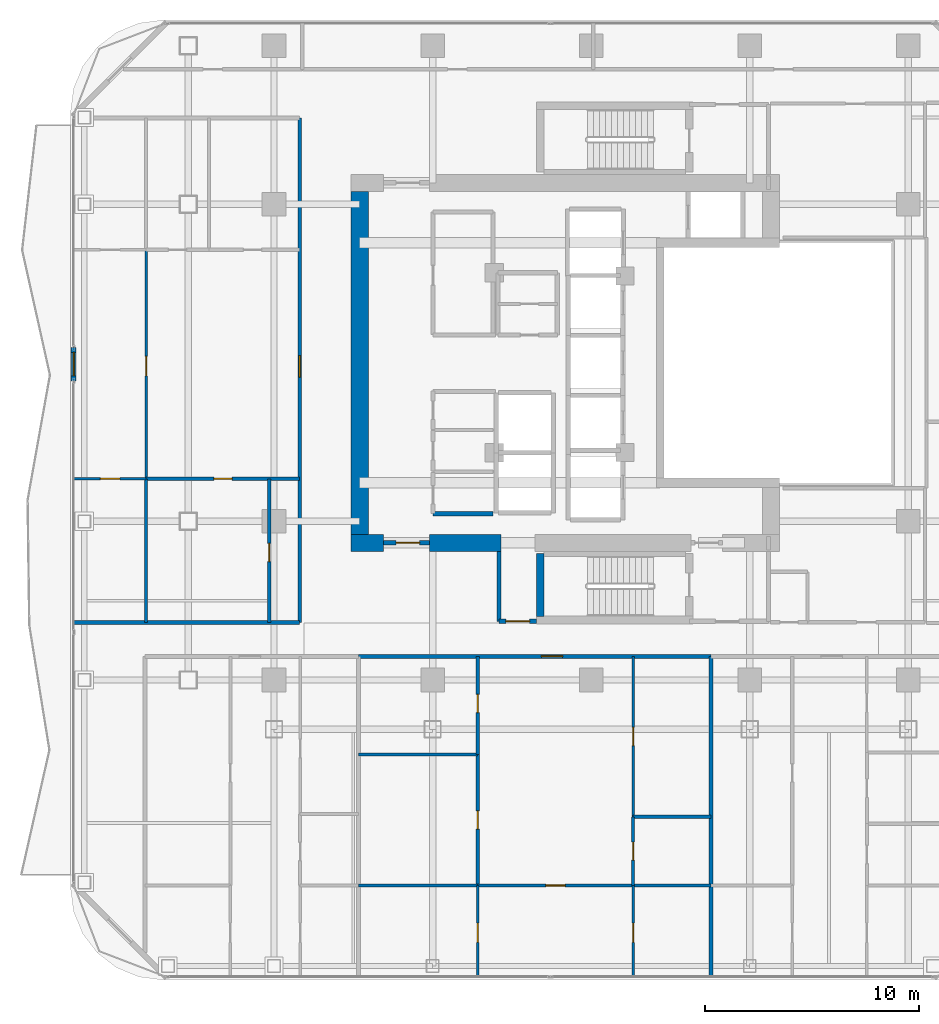
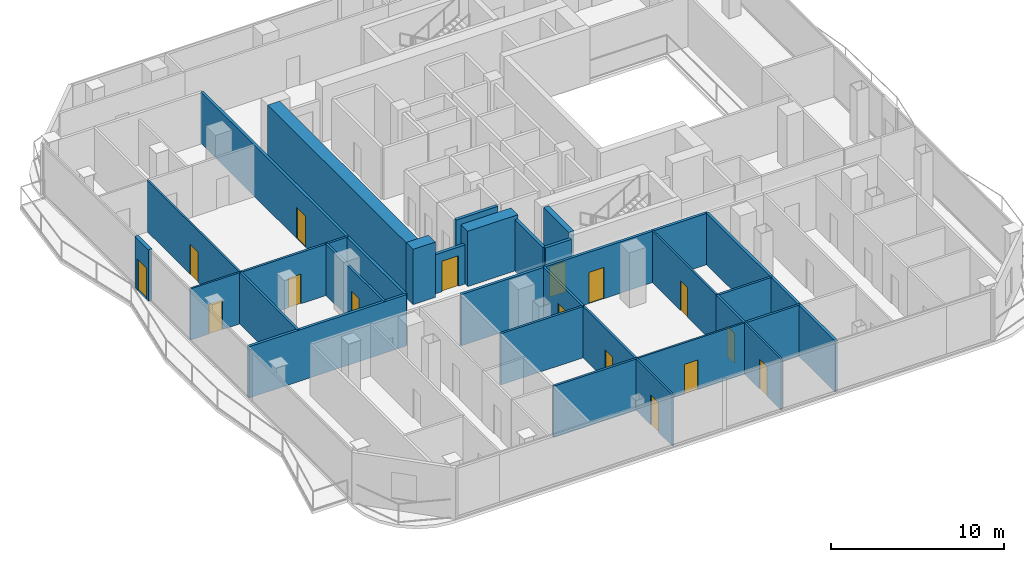
# One storey, part 17 of 24: 29 walls, 16 doors, 16 openings.
"""IFC4 building model written with IfcOpenShell, lengths in metres."""

from ifc_helpers import new_model, si_unit, direction, frame, frame_2d, origin, place, context, subcontext, project, spatial, rectangle, extrude, material, layer, layer_set, type_object, element, fill, save


model = new_model("IFC4")

# Units and contexts
model_context = context("Model", 3, precision=1e-05, world=origin(), true_north=direction((0.0, 1.0)))
body_context = subcontext(model_context, "Body", "Model", "MODEL_VIEW")
ifc_project = project(units=[si_unit("LENGTHUNIT", "METRE"), si_unit("AREAUNIT", "SQUARE_METRE"), si_unit("VOLUMEUNIT", "CUBIC_METRE"), si_unit("PLANEANGLEUNIT", "RADIAN"), si_unit("MASSUNIT", "GRAM", prefix="KILO")], contexts=[model_context])

# Site, building, storey
site_placement = place(None, origin())
site = spatial("IfcSite", under=ifc_project, at=site_placement, CompositionType="ELEMENT")
building_placement = place(site_placement, origin())
building = spatial("IfcBuilding", under=site, at=building_placement, Name="Khorvyn Point Tower", CompositionType="ELEMENT")
storey_placement = place(building_placement, frame((0.0, 0.0, 215.699951171875)))
storey = spatial("IfcBuildingStorey", under=building, at=storey_placement, Name="L53", CompositionType="ELEMENT", Elevation=215.699951171875)

# Wall, opening, door
ifc_material_1 = material(Name="Double acoustic gypsum on twin steel stud", Category="steel")
ifc_layer_1 = layer(ifc_material_1, 0.179931640625)
ifc_layer_set_1 = layer_set([ifc_layer_1], Name="Acoustic Double-Stud Apartment Demising Wall 180")
wall_type_1 = type_object("IfcWallType", Name="Acoustic Double-Stud Apartment Demising Wall 180", PredefinedType="PARTITIONING", material=ifc_layer_set_1)
wall_1_placement = place(storey_placement, frame((-10.85498046875, -13.699951171875, 0.0), z_axis=(0.0, 0.0, 1.0), x_axis=(1.0, 0.0, 0.0)))
wall_1 = element("IfcWall", 1, at=wall_1_placement, inside=storey, type_object=wall_type_1, Name="Wall", PredefinedType="PARTITIONING", context=body_context, shape_type="SweptSolid", body=[
    extrude(rectangle(XDim=16.4541015625, YDim=0.179931640625, at=frame_2d((8.22705078125, 0.0))), origin(), (0.0, 0.0, 1.0), 3.6201171875),
])
opening_1_placement = place(wall_1_placement, frame((8.5283203125, 0.0, 0.0)))
opening_1 = element("IfcOpeningElement", 2, at=opening_1_placement, cuts=wall_1, Name="Opening ID-AP60", PredefinedType="OPENING", context=body_context, shape_type="SweptSolid", body=[
    extrude(rectangle(XDim=1.0, YDim=2.199951171875, at=frame_2d((0.5, 1.10009765625))), frame((0.0, 0.099853515625, 0.0), z_axis=(0.0, -1.0, 0.0), x_axis=(1.0, 0.0, 0.0)), (0.0, 0.0, 1.0), 0.199951171875),
])
ifc_material_2 = material(Name="Engineered hardwood fire-rated leaf", Category="wood")
door_type_1 = type_object("IfcDoorType", Name="Acoustic Solid-Core Timber Apartment Entrance Door 1000x2200", OperationType="NOTDEFINED", PredefinedType="DOOR", material=ifc_material_2)
door_1_placement = place(opening_1_placement, origin())
door_1 = element("IfcDoor", 3, at=door_1_placement, inside=storey, type_object=door_type_1, Name="Door", OperationType="SINGLE_SWING_LEFT", OverallHeight=2.199951171875, OverallWidth=1.0, PredefinedType="DOOR", context=body_context, shape_type="SweptSolid", body=[
    extrude(rectangle(XDim=1.0, YDim=2.199951171875, at=frame_2d((0.5, 1.10009765625))), frame((0.0, 0.02490234375, 0.0), z_axis=(0.0, -1.0, 0.0), x_axis=(1.0, 0.0, 0.0)), (0.0, 0.0, 1.0), 0.050048828125),
])
fill(opening_1, door_1)

wall_2_placement = place(storey_placement, frame((-13.60009765625, -12.1201171875, 0.0), z_axis=(0.0, 0.0, 1.0), x_axis=(0.0, 1.0, 0.0)))
wall_2 = element("IfcWall", 4, at=wall_2_placement, inside=storey, type_object=wall_type_1, Name="Wall", PredefinedType="PARTITIONING", context=body_context, shape_type="SweptSolid", body=[
    extrude(rectangle(XDim=23.550048828125, YDim=0.179931640625, at=frame_2d((11.77490234375, 0.0))), origin(), (0.0, 0.0, 1.0), 3.6201171875),
])
opening_2_placement = place(wall_2_placement, frame((11.454345703125, 0.0, 0.0)))
opening_2 = element("IfcOpeningElement", 5, at=opening_2_placement, cuts=wall_2, Name="Opening ID-AP60", PredefinedType="OPENING", context=body_context, shape_type="SweptSolid", body=[
    extrude(rectangle(XDim=1.0, YDim=2.199951171875, at=frame_2d((0.5, 1.10009765625))), frame((0.0, 0.099853515625, 0.0), z_axis=(0.0, -1.0, 0.0), x_axis=(1.0, 0.0, 0.0)), (0.0, 0.0, 1.0), 0.199951171875),
])
door_2_placement = place(opening_2_placement, origin())
door_2 = element("IfcDoor", 6, at=door_2_placement, inside=storey, type_object=door_type_1, Name="Door", OperationType="SINGLE_SWING_RIGHT", OverallHeight=2.199951171875, OverallWidth=1.0, PredefinedType="DOOR", context=body_context, shape_type="SweptSolid", body=[
    extrude(rectangle(XDim=1.0, YDim=2.199951171875, at=frame_2d((0.5, 1.10009765625))), frame((0.0, 0.02490234375, 0.0), z_axis=(0.0, -1.0, 0.0), x_axis=(1.0, 0.0, 0.0)), (0.0, 0.0, 1.0), 0.050048828125),
])
fill(opening_2, door_2)

# Walls
wall_3_placement = place(storey_placement, frame((5.59912109375, -28.6298828125, 0.0), z_axis=(0.0, 0.0, 1.0), x_axis=(0.0, 1.0, 0.0)))
element("IfcWall", 7, at=wall_3_placement, inside=storey, type_object=wall_type_1, Name="Wall", PredefinedType="PARTITIONING", context=body_context, shape_type="SweptSolid", body=[
    extrude(rectangle(XDim=14.929931640625, YDim=0.179931640625, at=frame_2d((7.46484375, 0.0))), origin(), (0.0, 0.0, 1.0), 3.6201171875),
])
wall_4_placement = place(storey_placement, frame((-24.1298828125, -12.1201171875, 0.0), z_axis=(0.0, 0.0, 1.0), x_axis=(1.0, 0.0, 0.0)))
element("IfcWall", 8, at=wall_4_placement, inside=storey, type_object=wall_type_1, Name="Wall", PredefinedType="PARTITIONING", context=body_context, shape_type="SweptSolid", body=[
    extrude(rectangle(XDim=10.52978515625, YDim=0.179931640625, at=frame_2d((5.264892578125, 0.0))), origin(), (0.0, 0.0, 1.0), 3.6201171875),
])

# Wall, opening, door
ifc_material_3 = material(Name="Pale anodised aluminium rainscreen on steel stud", Category="steel")
ifc_layer_2 = layer(ifc_material_3, 0.239990234375)
ifc_layer_set_2 = layer_set([ifc_layer_2], Name="Anodised Aluminium Insulated Corner Spandrel Wall 240")
wall_type_2 = type_object("IfcWallType", Name="Anodised Aluminium Insulated Corner Spandrel Wall 240", PredefinedType="SOLIDWALL", material=ifc_layer_set_2)
wall_5_placement = place(storey_placement, frame((-24.14990234375, -0.85302734375, 0.0), z_axis=(0.0, 0.0, 1.0), x_axis=(0.0, 1.0, 0.0)))
wall_5 = element("IfcWall", 9, at=wall_5_placement, inside=storey, type_object=wall_type_2, Name="L53 West Outdoor Threshold Wall", PredefinedType="SOLIDWALL", context=body_context, shape_type="SweptSolid", body=[
    extrude(rectangle(XDim=1.580078125, YDim=0.239990234375, at=frame_2d((0.7900390625, 0.0))), origin(), (0.0, 0.0, 1.0), 3.6201171875),
])
opening_3_placement = place(wall_5_placement, frame((0.239990234375, 0.0, 0.0)))
opening_3 = element("IfcOpeningElement", 10, at=opening_3_placement, cuts=wall_5, Name="Opening BD-1122", PredefinedType="OPENING", context=body_context, shape_type="SweptSolid", body=[
    extrude(rectangle(XDim=1.10009765625, YDim=2.199951171875, at=frame_2d((0.550048828125, 1.10009765625))), frame((0.0, 0.1298828125, 0.0), z_axis=(0.0, -1.0, 0.0), x_axis=(1.0, 0.0, 0.0)), (0.0, 0.0, 1.0), 0.260009765625),
])
ifc_material_4 = material(Name="Anodised aluminium 6063-T6 and laminated Low-E glass", Category="aluminium")
door_type_2 = type_object("IfcDoorType", Name="Glazed Balcony and Terrace Threshold Door 1100x2200", OperationType="NOTDEFINED", PredefinedType="DOOR", material=ifc_material_4)
door_3_placement = place(opening_3_placement, origin())
door_3 = element("IfcDoor", 11, at=door_3_placement, inside=storey, type_object=door_type_2, Name="L53 West Glazed Balcony Outdoor Door", OperationType="SINGLE_SWING_RIGHT", OverallHeight=2.199951171875, OverallWidth=1.10009765625, PredefinedType="DOOR", context=body_context, shape_type="SweptSolid", body=[
    extrude(rectangle(XDim=1.10009765625, YDim=2.199951171875, at=frame_2d((0.550048828125, 1.10009765625))), frame((0.0, 0.02490234375, 0.0), z_axis=(0.0, -1.0, 0.0), x_axis=(1.0, 0.0, 0.0)), (0.0, 0.0, 1.0), 0.050048828125),
])
fill(opening_3, door_3)

ifc_material_5 = material(Name="Concrete C40/50", Category="concrete")
ifc_layer_3 = layer(ifc_material_5, 0.199951171875)
ifc_layer_set_3 = layer_set([ifc_layer_3], Name="Concrete C40/50 Fire-Lobby Compartment Wall 200")
wall_type_3 = type_object("IfcWallType", Name="Concrete C40/50 Fire-Lobby Compartment Wall 200", PredefinedType="SOLIDWALL", material=ifc_layer_set_3)
wall_6_placement = place(storey_placement, frame((-9.699951171875, -8.39990234375, 0.0), z_axis=(0.0, 0.0, 1.0), x_axis=(1.0, 0.0, 0.0)))
wall_6 = element("IfcWall", 12, at=wall_6_placement, inside=storey, type_object=wall_type_3, Name="Wall", PredefinedType="SOLIDWALL", context=body_context, shape_type="SweptSolid", body=[
    extrude(rectangle(XDim=2.14990234375, YDim=0.199951171875, at=frame_2d((1.074951171875, 0.0))), origin(), (0.0, 0.0, 1.0), 2.760009765625),
])
opening_4_placement = place(wall_6_placement, frame((0.597900390625, 0.0, 0.0)))
opening_4 = element("IfcOpeningElement", 13, at=opening_4_placement, cuts=wall_6, Name="Opening ID-FL90", PredefinedType="OPENING", context=body_context, shape_type="SweptSolid", body=[
    extrude(rectangle(XDim=1.10009765625, YDim=2.14990234375, at=frame_2d((0.550048828125, 1.074951171875))), frame((0.0, 0.10986328125, 0.0), z_axis=(0.0, -1.0, 0.0), x_axis=(1.0, 0.0, 0.0)), (0.0, 0.0, 1.0), 0.219970703125),
])
ifc_material_6 = material(Name="Galvanised powder-coated steel", Category="steel")
door_type_3 = type_object("IfcDoorType", Name="Fire-Rated Steel Lobby and Stair Door 1100x2150", OperationType="NOTDEFINED", PredefinedType="DOOR", material=ifc_material_6)
door_4_placement = place(opening_4_placement, origin())
door_4 = element("IfcDoor", 14, at=door_4_placement, inside=storey, type_object=door_type_3, Name="Door", OperationType="SINGLE_SWING_RIGHT", OverallHeight=2.14990234375, OverallWidth=1.10009765625, PredefinedType="DOOR", context=body_context, shape_type="SweptSolid", body=[
    extrude(rectangle(XDim=1.10009765625, YDim=2.14990234375, at=frame_2d((0.550048828125, 1.074951171875))), frame((0.0, 0.02490234375, 0.0), z_axis=(0.0, -1.0, 0.0), x_axis=(1.0, 0.0, 0.0)), (0.0, 0.0, 1.0), 0.050048828125),
])
fill(opening_4, door_4)

wall_7_placement = place(storey_placement, frame((-4.300048828125, -12.06005859375, 0.0), z_axis=(0.0, 0.0, 1.0), x_axis=(1.0, 0.0, 0.0)))
wall_7 = element("IfcWall", 15, at=wall_7_placement, inside=storey, type_object=wall_type_3, Name="Wall", PredefinedType="SOLIDWALL", context=body_context, shape_type="SweptSolid", body=[
    extrude(rectangle(XDim=1.75, YDim=0.199951171875, at=frame_2d((0.875, 0.0))), origin(), (0.0, 0.0, 1.0), 3.6201171875),
])
opening_5_placement = place(wall_7_placement, frame((0.324951171875, 0.0, 0.0)))
opening_5 = element("IfcOpeningElement", 16, at=opening_5_placement, cuts=wall_7, Name="Opening ID-FL90", PredefinedType="OPENING", context=body_context, shape_type="SweptSolid", body=[
    extrude(rectangle(XDim=1.10009765625, YDim=2.14990234375, at=frame_2d((0.550048828125, 1.074951171875))), frame((0.0, 0.10986328125, 0.0), z_axis=(0.0, -1.0, 0.0), x_axis=(1.0, 0.0, 0.0)), (0.0, 0.0, 1.0), 0.219970703125),
])
door_5_placement = place(opening_5_placement, origin())
door_5 = element("IfcDoor", 17, at=door_5_placement, inside=storey, type_object=door_type_3, Name="Door", OperationType="SINGLE_SWING_RIGHT", OverallHeight=2.14990234375, OverallWidth=1.10009765625, PredefinedType="DOOR", context=body_context, shape_type="SweptSolid", body=[
    extrude(rectangle(XDim=1.10009765625, YDim=2.14990234375, at=frame_2d((0.550048828125, 1.074951171875))), frame((0.0, 0.02490234375, 0.0), z_axis=(0.0, -1.0, 0.0), x_axis=(1.0, 0.0, 0.0)), (0.0, 0.0, 1.0), 0.050048828125),
])
fill(opening_5, door_5)

# Walls
wall_8_placement = place(storey_placement, frame((-4.300048828125, -12.06005859375, 0.0), z_axis=(0.0, 0.0, 1.0), x_axis=(0.0, 1.0, 0.0)))
element("IfcWall", 18, at=wall_8_placement, inside=storey, type_object=wall_type_3, Name="Wall", PredefinedType="SOLIDWALL", context=body_context, shape_type="SweptSolid", body=[
    extrude(rectangle(XDim=3.260009765625, YDim=0.199951171875, at=frame_2d((1.6298828125, 0.0))), origin(), (0.0, 0.0, 1.0), 3.6201171875),
])
wall_9_placement = place(storey_placement, frame((-7.3798828125, -7.0400390625, 0.0), z_axis=(0.0, 0.0, 1.0), x_axis=(1.0, 0.0, 0.0)))
element("IfcWall", 19, at=wall_9_placement, inside=storey, type_object=wall_type_3, Name="Wall", PredefinedType="SOLIDWALL", context=body_context, shape_type="SweptSolid", body=[
    extrude(rectangle(XDim=2.7998046875, YDim=0.199951171875, at=frame_2d((1.39990234375, 0.0))), origin(), (0.0, 0.0, 1.0), 3.6201171875),
])
ifc_layer_4 = layer(ifc_material_5, 0.35009765625)
ifc_layer_set_4 = layer_set([ifc_layer_4], Name="Concrete C40/50 Stair Shaft Structural Wall 350")
wall_type_4 = type_object("IfcWallType", Name="Concrete C40/50 Stair Shaft Structural Wall 350", PredefinedType="SHEAR", material=ifc_layer_set_4)
wall_10_placement = place(storey_placement, frame((-2.3798828125, -11.824951171875, 0.0), z_axis=(0.0, 0.0, 1.0), x_axis=(0.0, 1.0, 0.0)))
element("IfcWall", 20, at=wall_10_placement, inside=storey, type_object=wall_type_4, Name="L53 ST-01 West Shaft Wall", PredefinedType="SHEAR", context=body_context, shape_type="SweptSolid", body=[
    extrude(rectangle(XDim=2.925048828125, YDim=0.35009765625, at=frame_2d((1.46240234375, 0.0))), origin(), (0.0, 0.0, 1.0), 3.900146484375),
])
ifc_material_7 = material(Name="Concrete C45/55", Category="concrete")
ifc_layer_5 = layer(ifc_material_7, 0.800048828125)
ifc_layer_set_5 = layer_set([ifc_layer_5], Name="Concrete C45/55 Core Shear Wall 800")
wall_type_5 = type_object("IfcWallType", Name="Concrete C45/55 Core Shear Wall 800", PredefinedType="SHEAR", material=ifc_layer_set_5)
wall_11_placement = place(storey_placement, frame((-11.199951171875, -8.39990234375, 0.0), z_axis=(0.0, 0.0, 1.0), x_axis=(1.0, 0.0, 0.0)))
element("IfcWall", 21, at=wall_11_placement, inside=storey, type_object=wall_type_5, Name="Wall", PredefinedType="SHEAR", context=body_context, shape_type="SweptSolid", body=[
    extrude(rectangle(XDim=1.5, YDim=0.800048828125, at=frame_2d((0.75, 0.0))), origin(), (0.0, 0.0, 1.0), 3.900146484375),
])
wall_12_placement = place(storey_placement, frame((-7.550048828125, -8.39990234375, 0.0), z_axis=(0.0, 0.0, 1.0), x_axis=(1.0, 0.0, 0.0)))
element("IfcWall", 22, at=wall_12_placement, inside=storey, type_object=wall_type_5, Name="Wall", PredefinedType="SHEAR", context=body_context, shape_type="SweptSolid", body=[
    extrude(rectangle(XDim=3.35009765625, YDim=0.800048828125, at=frame_2d((1.675048828125, 0.0))), origin(), (0.0, 0.0, 1.0), 3.900146484375),
])
wall_13_placement = place(storey_placement, frame((-10.800048828125, -8.0, 0.0), z_axis=(0.0, 0.0, 1.0), x_axis=(0.0, 1.0, 0.0)))
element("IfcWall", 23, at=wall_13_placement, inside=storey, type_object=wall_type_5, Name="Wall", PredefinedType="SHEAR", context=body_context, shape_type="SweptSolid", body=[
    extrude(rectangle(XDim=16.0, YDim=0.800048828125, at=frame_2d((8.0, 0.0))), origin(), (0.0, 0.0, 1.0), 3.900146484375),
])

# Wall, opening, door
ifc_material_8 = material(Name="Gypsum plasterboard on steel stud", Category="steel")
ifc_layer_6 = layer(ifc_material_8, 0.1201171875)
ifc_layer_set_6 = layer_set([ifc_layer_6], Name="Gypsum Acoustic Stud Room Partition Wall 120")
wall_type_6 = type_object("IfcWallType", Name="Gypsum Acoustic Stud Room Partition Wall 120", PredefinedType="PARTITIONING", material=ifc_layer_set_6)
wall_14_placement = place(storey_placement, frame((-5.29296875, -24.389892578125, 0.0), z_axis=(0.0, 0.0, 1.0), x_axis=(1.0, 0.0, 0.0)))
wall_14 = element("IfcWall", 24, at=wall_14_placement, inside=storey, type_object=wall_type_6, Name="Wall", PredefinedType="PARTITIONING", context=body_context, shape_type="SweptSolid", body=[
    extrude(rectangle(XDim=7.248046875, YDim=0.1201171875, at=frame_2d((3.6240234375, 0.0))), origin(), (0.0, 0.0, 1.0), 3.6201171875),
])
opening_6_placement = place(wall_14_placement, frame((3.174072265625, 0.0, 0.0)))
opening_6 = element("IfcOpeningElement", 25, at=opening_6_placement, cuts=wall_14, Name="Opening ID-RM90", PredefinedType="OPENING", context=body_context, shape_type="SweptSolid", body=[
    extrude(rectangle(XDim=0.89990234375, YDim=2.10009765625, at=frame_2d((0.449951171875, 1.050048828125))), frame((0.0, 0.070068359375, 0.0), z_axis=(0.0, -1.0, 0.0), x_axis=(1.0, 0.0, 0.0)), (0.0, 0.0, 1.0), 0.14013671875),
])
ifc_material_9 = material(Name="Engineered oak veneer timber", Category="wood")
door_type_4 = type_object("IfcDoorType", Name="Flush Engineered Timber Room Door 900x2100", OperationType="NOTDEFINED", PredefinedType="DOOR", material=ifc_material_9)
door_6_placement = place(opening_6_placement, origin())
door_6 = element("IfcDoor", 26, at=door_6_placement, inside=storey, type_object=door_type_4, Name="Door", OperationType="SINGLE_SWING_RIGHT", OverallHeight=2.10009765625, OverallWidth=0.89990234375, PredefinedType="DOOR", context=body_context, shape_type="SweptSolid", body=[
    extrude(rectangle(XDim=0.89990234375, YDim=2.10009765625, at=frame_2d((0.449951171875, 1.050048828125))), frame((0.0, 0.02490234375, 0.0), z_axis=(0.0, -1.0, 0.0), x_axis=(1.0, 0.0, 0.0)), (0.0, 0.0, 1.0), 0.050048828125),
])
fill(opening_6, door_6)

wall_15_placement = place(storey_placement, frame((-5.29296875, -28.6298828125, 0.0), z_axis=(0.0, 0.0, 1.0), x_axis=(0.0, 1.0, 0.0)))
wall_15 = element("IfcWall", 27, at=wall_15_placement, inside=storey, type_object=wall_type_6, Name="Wall", PredefinedType="PARTITIONING", context=body_context, shape_type="SweptSolid", body=[
    extrude(rectangle(XDim=4.239990234375, YDim=0.1201171875, at=frame_2d((2.1201171875, 0.0))), origin(), (0.0, 0.0, 1.0), 3.6201171875),
])
opening_7_placement = place(wall_15_placement, frame((1.581298828125, 0.0, 0.0)))
opening_7 = element("IfcOpeningElement", 28, at=opening_7_placement, cuts=wall_15, Name="Opening ID-RM90", PredefinedType="OPENING", context=body_context, shape_type="SweptSolid", body=[
    extrude(rectangle(XDim=0.89990234375, YDim=2.10009765625, at=frame_2d((0.449951171875, 1.050048828125))), frame((0.0, 0.070068359375, 0.0), z_axis=(0.0, -1.0, 0.0), x_axis=(1.0, 0.0, 0.0)), (0.0, 0.0, 1.0), 0.14013671875),
])
door_7_placement = place(opening_7_placement, origin())
door_7 = element("IfcDoor", 29, at=door_7_placement, inside=storey, type_object=door_type_4, Name="Door", OperationType="SINGLE_SWING_LEFT", OverallHeight=2.10009765625, OverallWidth=0.89990234375, PredefinedType="DOOR", context=body_context, shape_type="SweptSolid", body=[
    extrude(rectangle(XDim=0.89990234375, YDim=2.10009765625, at=frame_2d((0.449951171875, 1.050048828125))), frame((0.0, 0.02490234375, 0.0), z_axis=(0.0, -1.0, 0.0), x_axis=(1.0, 0.0, 0.0)), (0.0, 0.0, 1.0), 0.050048828125),
])
fill(opening_7, door_7)

wall_16_placement = place(storey_placement, frame((1.955078125, -21.18310546875, 0.0), z_axis=(0.0, 0.0, 1.0), x_axis=(0.0, 1.0, 0.0)))
wall_16 = element("IfcWall", 30, at=wall_16_placement, inside=storey, type_object=wall_type_6, Name="Wall", PredefinedType="PARTITIONING", context=body_context, shape_type="SweptSolid", body=[
    extrude(rectangle(XDim=7.483154296875, YDim=0.1201171875, at=frame_2d((3.74169921875, 0.0))), origin(), (0.0, 0.0, 1.0), 3.6201171875),
])
opening_8_placement = place(wall_16_placement, frame((3.31640625, 0.0, 0.0)))
opening_8 = element("IfcOpeningElement", 31, at=opening_8_placement, cuts=wall_16, Name="Opening ID-WC85", PredefinedType="OPENING", context=body_context, shape_type="SweptSolid", body=[
    extrude(rectangle(XDim=0.85009765625, YDim=2.10009765625, at=frame_2d((0.425048828125, 1.050048828125))), frame((0.0, 0.070068359375, 0.0), z_axis=(0.0, -1.0, 0.0), x_axis=(1.0, 0.0, 0.0)), (0.0, 0.0, 1.0), 0.14013671875),
])
ifc_material_10 = material(Name="High-pressure laminate on moisture-resistant core", Category="wood")
door_type_5 = type_object("IfcDoorType", Name="Moisture-Resistant Accessible Washroom Door 850x2100", OperationType="NOTDEFINED", PredefinedType="DOOR", material=ifc_material_10)
door_8_placement = place(opening_8_placement, origin())
door_8 = element("IfcDoor", 32, at=door_8_placement, inside=storey, type_object=door_type_5, Name="Door", OperationType="SINGLE_SWING_LEFT", OverallHeight=2.10009765625, OverallWidth=0.85009765625, PredefinedType="DOOR", context=body_context, shape_type="SweptSolid", body=[
    extrude(rectangle(XDim=0.85009765625, YDim=2.10009765625, at=frame_2d((0.425048828125, 1.050048828125))), frame((0.0, 0.02490234375, 0.0), z_axis=(0.0, -1.0, 0.0), x_axis=(1.0, 0.0, 0.0)), (0.0, 0.0, 1.0), 0.050048828125),
])
fill(opening_8, door_8)

wall_17_placement = place(storey_placement, frame((1.955078125, -28.6298828125, 0.0), z_axis=(0.0, 0.0, 1.0), x_axis=(0.0, 1.0, 0.0)))
wall_17 = element("IfcWall", 33, at=wall_17_placement, inside=storey, type_object=wall_type_6, Name="Wall", PredefinedType="PARTITIONING", context=body_context, shape_type="SweptSolid", body=[
    extrude(rectangle(XDim=4.239990234375, YDim=0.1201171875, at=frame_2d((2.1201171875, 0.0))), origin(), (0.0, 0.0, 1.0), 3.6201171875),
])
opening_9_placement = place(wall_17_placement, frame((1.581298828125, 0.0, 0.0)))
opening_9 = element("IfcOpeningElement", 34, at=opening_9_placement, cuts=wall_17, Name="Opening ID-RM90", PredefinedType="OPENING", context=body_context, shape_type="SweptSolid", body=[
    extrude(rectangle(XDim=0.89990234375, YDim=2.10009765625, at=frame_2d((0.449951171875, 1.050048828125))), frame((0.0, 0.070068359375, 0.0), z_axis=(0.0, -1.0, 0.0), x_axis=(1.0, 0.0, 0.0)), (0.0, 0.0, 1.0), 0.14013671875),
])
door_9_placement = place(opening_9_placement, origin())
door_9 = element("IfcDoor", 35, at=door_9_placement, inside=storey, type_object=door_type_4, Name="Door", OperationType="SINGLE_SWING_RIGHT", OverallHeight=2.10009765625, OverallWidth=0.89990234375, PredefinedType="DOOR", context=body_context, shape_type="SweptSolid", body=[
    extrude(rectangle(XDim=0.89990234375, YDim=2.10009765625, at=frame_2d((0.449951171875, 1.050048828125))), frame((0.0, 0.02490234375, 0.0), z_axis=(0.0, -1.0, 0.0), x_axis=(1.0, 0.0, 0.0)), (0.0, 0.0, 1.0), 0.050048828125),
])
fill(opening_9, door_9)

wall_18_placement = place(storey_placement, frame((-20.76904296875, -5.408935546875, 0.0), z_axis=(0.0, 0.0, 1.0), x_axis=(0.0, 1.0, 0.0)))
wall_18 = element("IfcWall", 36, at=wall_18_placement, inside=storey, type_object=wall_type_6, Name="Wall", PredefinedType="PARTITIONING", context=body_context, shape_type="SweptSolid", body=[
    extrude(rectangle(XDim=10.69091796875, YDim=0.1201171875, at=frame_2d((5.345458984375, 0.0))), origin(), (0.0, 0.0, 1.0), 3.6201171875),
])
opening_10_placement = place(wall_18_placement, frame((4.80615234375, 0.0, 0.0)))
opening_10 = element("IfcOpeningElement", 37, at=opening_10_placement, cuts=wall_18, Name="Opening ID-RM90", PredefinedType="OPENING", context=body_context, shape_type="SweptSolid", body=[
    extrude(rectangle(XDim=0.89990234375, YDim=2.10009765625, at=frame_2d((0.449951171875, 1.050048828125))), frame((0.0, 0.070068359375, 0.0), z_axis=(0.0, -1.0, 0.0), x_axis=(1.0, 0.0, 0.0)), (0.0, 0.0, 1.0), 0.14013671875),
])
door_10_placement = place(opening_10_placement, origin())
door_10 = element("IfcDoor", 38, at=door_10_placement, inside=storey, type_object=door_type_4, Name="Door", OperationType="SINGLE_SWING_LEFT", OverallHeight=2.10009765625, OverallWidth=0.89990234375, PredefinedType="DOOR", context=body_context, shape_type="SweptSolid", body=[
    extrude(rectangle(XDim=0.89990234375, YDim=2.10009765625, at=frame_2d((0.449951171875, 1.050048828125))), frame((0.0, 0.02490234375, 0.0), z_axis=(0.0, -1.0, 0.0), x_axis=(1.0, 0.0, 0.0)), (0.0, 0.0, 1.0), 0.050048828125),
])
fill(opening_10, door_10)

wall_19_placement = place(storey_placement, frame((-24.1298828125, -5.408935546875, 0.0), z_axis=(0.0, 0.0, 1.0), x_axis=(1.0, 0.0, 0.0)))
wall_19 = element("IfcWall", 39, at=wall_19_placement, inside=storey, type_object=wall_type_6, Name="Wall", PredefinedType="PARTITIONING", context=body_context, shape_type="SweptSolid", body=[
    extrude(rectangle(XDim=3.36083984375, YDim=0.1201171875, at=frame_2d((1.680419921875, 0.0))), origin(), (0.0, 0.0, 1.0), 3.6201171875),
])
opening_11_placement = place(wall_19_placement, frame((1.23046875, 0.0, 0.0)))
opening_11 = element("IfcOpeningElement", 40, at=opening_11_placement, cuts=wall_19, Name="Opening ID-RM90", PredefinedType="OPENING", context=body_context, shape_type="SweptSolid", body=[
    extrude(rectangle(XDim=0.89990234375, YDim=2.10009765625, at=frame_2d((0.449951171875, 1.050048828125))), frame((0.0, 0.070068359375, 0.0), z_axis=(0.0, -1.0, 0.0), x_axis=(1.0, 0.0, 0.0)), (0.0, 0.0, 1.0), 0.14013671875),
])
door_11_placement = place(opening_11_placement, origin())
door_11 = element("IfcDoor", 41, at=door_11_placement, inside=storey, type_object=door_type_4, Name="Door", OperationType="SINGLE_SWING_RIGHT", OverallHeight=2.10009765625, OverallWidth=0.89990234375, PredefinedType="DOOR", context=body_context, shape_type="SweptSolid", body=[
    extrude(rectangle(XDim=0.89990234375, YDim=2.10009765625, at=frame_2d((0.449951171875, 1.050048828125))), frame((0.0, 0.02490234375, 0.0), z_axis=(0.0, -1.0, 0.0), x_axis=(1.0, 0.0, 0.0)), (0.0, 0.0, 1.0), 0.050048828125),
])
fill(opening_11, door_11)

ifc_material_11 = material(Name="Moisture-resistant gypsum and cement board", Category="gypsum")
ifc_layer_7 = layer(ifc_material_11, 0.14990234375)
ifc_layer_set_7 = layer_set([ifc_layer_7], Name="Moisture-Resistant Wet-Room Partition Wall 150")
wall_type_7 = type_object("IfcWallType", Name="Moisture-Resistant Wet-Room Partition Wall 150", PredefinedType="PARTITIONING", material=ifc_layer_set_7)
wall_20_placement = place(storey_placement, frame((-5.29296875, -24.389892578125, 0.0), z_axis=(0.0, 0.0, 1.0), x_axis=(0.0, 1.0, 0.0)))
wall_20 = element("IfcWall", 42, at=wall_20_placement, inside=storey, type_object=wall_type_7, Name="Wall", PredefinedType="PARTITIONING", context=body_context, shape_type="SweptSolid", body=[
    extrude(rectangle(XDim=6.11279296875, YDim=0.14990234375, at=frame_2d((3.056396484375, 0.0))), origin(), (0.0, 0.0, 1.0), 3.6201171875),
])
opening_12_placement = place(wall_20_placement, frame((2.631591796875, 0.0, 0.0)))
opening_12 = element("IfcOpeningElement", 43, at=opening_12_placement, cuts=wall_20, Name="Opening ID-WC85", PredefinedType="OPENING", context=body_context, shape_type="SweptSolid", body=[
    extrude(rectangle(XDim=0.85009765625, YDim=2.10009765625, at=frame_2d((0.425048828125, 1.050048828125))), frame((0.0, 0.0849609375, 0.0), z_axis=(0.0, -1.0, 0.0), x_axis=(1.0, 0.0, 0.0)), (0.0, 0.0, 1.0), 0.169921875),
])
door_12_placement = place(opening_12_placement, origin())
door_12 = element("IfcDoor", 44, at=door_12_placement, inside=storey, type_object=door_type_5, Name="Door", OperationType="SINGLE_SWING_LEFT", OverallHeight=2.10009765625, OverallWidth=0.85009765625, PredefinedType="DOOR", context=body_context, shape_type="SweptSolid", body=[
    extrude(rectangle(XDim=0.85009765625, YDim=2.10009765625, at=frame_2d((0.425048828125, 1.050048828125))), frame((0.0, 0.02490234375, 0.0), z_axis=(0.0, -1.0, 0.0), x_axis=(1.0, 0.0, 0.0)), (0.0, 0.0, 1.0), 0.050048828125),
])
fill(opening_12, door_12)

wall_21_placement = place(storey_placement, frame((-5.29296875, -18.277099609375, 0.0), z_axis=(0.0, 0.0, 1.0), x_axis=(0.0, 1.0, 0.0)))
wall_21 = element("IfcWall", 45, at=wall_21_placement, inside=storey, type_object=wall_type_7, Name="Wall", PredefinedType="PARTITIONING", context=body_context, shape_type="SweptSolid", body=[
    extrude(rectangle(XDim=4.5771484375, YDim=0.14990234375, at=frame_2d((2.28857421875, 0.0))), origin(), (0.0, 0.0, 1.0), 3.6201171875),
])
opening_13_placement = place(wall_21_placement, frame((1.953125, 0.0, 0.0)))
opening_13 = element("IfcOpeningElement", 46, at=opening_13_placement, cuts=wall_21, Name="Opening ID-WC85", PredefinedType="OPENING", context=body_context, shape_type="SweptSolid", body=[
    extrude(rectangle(XDim=0.85009765625, YDim=2.10009765625, at=frame_2d((0.425048828125, 1.050048828125))), frame((0.0, 0.0849609375, 0.0), z_axis=(0.0, -1.0, 0.0), x_axis=(1.0, 0.0, 0.0)), (0.0, 0.0, 1.0), 0.169921875),
])
door_13_placement = place(opening_13_placement, origin())
door_13 = element("IfcDoor", 47, at=door_13_placement, inside=storey, type_object=door_type_5, Name="Door", OperationType="SINGLE_SWING_RIGHT", OverallHeight=2.10009765625, OverallWidth=0.85009765625, PredefinedType="DOOR", context=body_context, shape_type="SweptSolid", body=[
    extrude(rectangle(XDim=0.85009765625, YDim=2.10009765625, at=frame_2d((0.425048828125, 1.050048828125))), frame((0.0, 0.02490234375, 0.0), z_axis=(0.0, -1.0, 0.0), x_axis=(1.0, 0.0, 0.0)), (0.0, 0.0, 1.0), 0.050048828125),
])
fill(opening_13, door_13)

wall_22_placement = place(storey_placement, frame((1.955078125, -24.389892578125, 0.0), z_axis=(0.0, 0.0, 1.0), x_axis=(0.0, 1.0, 0.0)))
wall_22 = element("IfcWall", 48, at=wall_22_placement, inside=storey, type_object=wall_type_7, Name="Wall", PredefinedType="PARTITIONING", context=body_context, shape_type="SweptSolid", body=[
    extrude(rectangle(XDim=3.206787109375, YDim=0.14990234375, at=frame_2d((1.603515625, 0.0))), origin(), (0.0, 0.0, 1.0), 3.6201171875),
])
opening_14_placement = place(wall_22_placement, frame((1.178466796875, 0.0, 0.0)))
opening_14 = element("IfcOpeningElement", 49, at=opening_14_placement, cuts=wall_22, Name="Opening ID-WC85", PredefinedType="OPENING", context=body_context, shape_type="SweptSolid", body=[
    extrude(rectangle(XDim=0.85009765625, YDim=2.10009765625, at=frame_2d((0.425048828125, 1.050048828125))), frame((0.0, 0.0849609375, 0.0), z_axis=(0.0, -1.0, 0.0), x_axis=(1.0, 0.0, 0.0)), (0.0, 0.0, 1.0), 0.169921875),
])
door_14_placement = place(opening_14_placement, origin())
door_14 = element("IfcDoor", 50, at=door_14_placement, inside=storey, type_object=door_type_5, Name="Door", OperationType="SINGLE_SWING_RIGHT", OverallHeight=2.10009765625, OverallWidth=0.85009765625, PredefinedType="DOOR", context=body_context, shape_type="SweptSolid", body=[
    extrude(rectangle(XDim=0.85009765625, YDim=2.10009765625, at=frame_2d((0.425048828125, 1.050048828125))), frame((0.0, 0.02490234375, 0.0), z_axis=(0.0, -1.0, 0.0), x_axis=(1.0, 0.0, 0.0)), (0.0, 0.0, 1.0), 0.050048828125),
])
fill(opening_14, door_14)

wall_23_placement = place(storey_placement, frame((-15.02001953125, -12.1201171875, 0.0), z_axis=(0.0, 0.0, 1.0), x_axis=(0.0, 1.0, 0.0)))
wall_23 = element("IfcWall", 51, at=wall_23_placement, inside=storey, type_object=wall_type_7, Name="Wall", PredefinedType="PARTITIONING", context=body_context, shape_type="SweptSolid", body=[
    extrude(rectangle(XDim=6.711181640625, YDim=0.14990234375, at=frame_2d((3.35546875, 0.0))), origin(), (0.0, 0.0, 1.0), 3.6201171875),
])
opening_15_placement = place(wall_23_placement, frame((2.841064453125, 0.0, 0.0)))
opening_15 = element("IfcOpeningElement", 52, at=opening_15_placement, cuts=wall_23, Name="Opening ID-WC85", PredefinedType="OPENING", context=body_context, shape_type="SweptSolid", body=[
    extrude(rectangle(XDim=0.85009765625, YDim=2.10009765625, at=frame_2d((0.425048828125, 1.050048828125))), frame((0.0, 0.0849609375, 0.0), z_axis=(0.0, -1.0, 0.0), x_axis=(1.0, 0.0, 0.0)), (0.0, 0.0, 1.0), 0.169921875),
])
door_15_placement = place(opening_15_placement, origin())
door_15 = element("IfcDoor", 53, at=door_15_placement, inside=storey, type_object=door_type_5, Name="Door", OperationType="SINGLE_SWING_RIGHT", OverallHeight=2.10009765625, OverallWidth=0.85009765625, PredefinedType="DOOR", context=body_context, shape_type="SweptSolid", body=[
    extrude(rectangle(XDim=0.85009765625, YDim=2.10009765625, at=frame_2d((0.425048828125, 1.050048828125))), frame((0.0, 0.02490234375, 0.0), z_axis=(0.0, -1.0, 0.0), x_axis=(1.0, 0.0, 0.0)), (0.0, 0.0, 1.0), 0.050048828125),
])
fill(opening_15, door_15)

wall_24_placement = place(storey_placement, frame((-20.76904296875, -5.408935546875, 0.0), z_axis=(0.0, 0.0, 1.0), x_axis=(1.0, 0.0, 0.0)))
wall_24 = element("IfcWall", 54, at=wall_24_placement, inside=storey, type_object=wall_type_7, Name="Wall", PredefinedType="PARTITIONING", context=body_context, shape_type="SweptSolid", body=[
    extrude(rectangle(XDim=7.1689453125, YDim=0.14990234375, at=frame_2d((3.58447265625, 0.0))), origin(), (0.0, 0.0, 1.0), 3.6201171875),
])
opening_16_placement = place(wall_24_placement, frame((3.159423828125, 0.0, 0.0)))
opening_16 = element("IfcOpeningElement", 55, at=opening_16_placement, cuts=wall_24, Name="Opening ID-WC85", PredefinedType="OPENING", context=body_context, shape_type="SweptSolid", body=[
    extrude(rectangle(XDim=0.85009765625, YDim=2.10009765625, at=frame_2d((0.425048828125, 1.050048828125))), frame((0.0, 0.0849609375, 0.0), z_axis=(0.0, -1.0, 0.0), x_axis=(1.0, 0.0, 0.0)), (0.0, 0.0, 1.0), 0.169921875),
])
door_16_placement = place(opening_16_placement, origin())
door_16 = element("IfcDoor", 56, at=door_16_placement, inside=storey, type_object=door_type_5, Name="Door", OperationType="SINGLE_SWING_LEFT", OverallHeight=2.10009765625, OverallWidth=0.85009765625, PredefinedType="DOOR", context=body_context, shape_type="SweptSolid", body=[
    extrude(rectangle(XDim=0.85009765625, YDim=2.10009765625, at=frame_2d((0.425048828125, 1.050048828125))), frame((0.0, 0.02490234375, 0.0), z_axis=(0.0, -1.0, 0.0), x_axis=(1.0, 0.0, 0.0)), (0.0, 0.0, 1.0), 0.050048828125),
])
fill(opening_16, door_16)

# Walls
for number, where, z_axis, x_axis, name in (
    (57, (-10.85498046875, -18.277099609375, 0.0), (0.0, 0.0, 1.0), (1.0, 0.0, 0.0), "Wall"),
    (58, (-10.85498046875, -24.389892578125, 0.0), (0.0, 0.0, 1.0), (1.0, 0.0, 0.0), "Wall"),
):
    element("IfcWall", number, at=place(storey_placement, frame(where, z_axis=z_axis, x_axis=x_axis)), inside=storey, type_object=wall_type_7, Name=name, PredefinedType="PARTITIONING", context=body_context, shape_type="SweptSolid", body=[
        extrude(rectangle(XDim=5.56201171875, YDim=0.14990234375, at=frame_2d((2.781005859375, 0.0))), origin(), (0.0, 0.0, 1.0), 3.6201171875),
    ])
for number, where, z_axis, x_axis, name in (
    (59, (1.955078125, -21.18310546875, 0.0), (0.0, 0.0, 1.0), (1.0, 0.0, 0.0), "Wall"),
    (60, (1.955078125, -24.389892578125, 0.0), (0.0, 0.0, 1.0), (1.0, 0.0, 0.0), "Wall"),
):
    element("IfcWall", number, at=place(storey_placement, frame(where, z_axis=z_axis, x_axis=x_axis)), inside=storey, type_object=wall_type_7, Name=name, PredefinedType="PARTITIONING", context=body_context, shape_type="SweptSolid", body=[
        extrude(rectangle(XDim=3.64404296875, YDim=0.14990234375, at=frame_2d((1.822021484375, 0.0))), origin(), (0.0, 0.0, 1.0), 3.6201171875),
    ])
wall_25_placement = place(storey_placement, frame((-20.76904296875, -12.1201171875, 0.0), z_axis=(0.0, 0.0, 1.0), x_axis=(0.0, 1.0, 0.0)))
element("IfcWall", 61, at=wall_25_placement, inside=storey, type_object=wall_type_7, Name="Wall", PredefinedType="PARTITIONING", context=body_context, shape_type="SweptSolid", body=[
    extrude(rectangle(XDim=6.711181640625, YDim=0.14990234375, at=frame_2d((3.35546875, 0.0))), origin(), (0.0, 0.0, 1.0), 3.6201171875),
])

save(model, "model.ifc")
